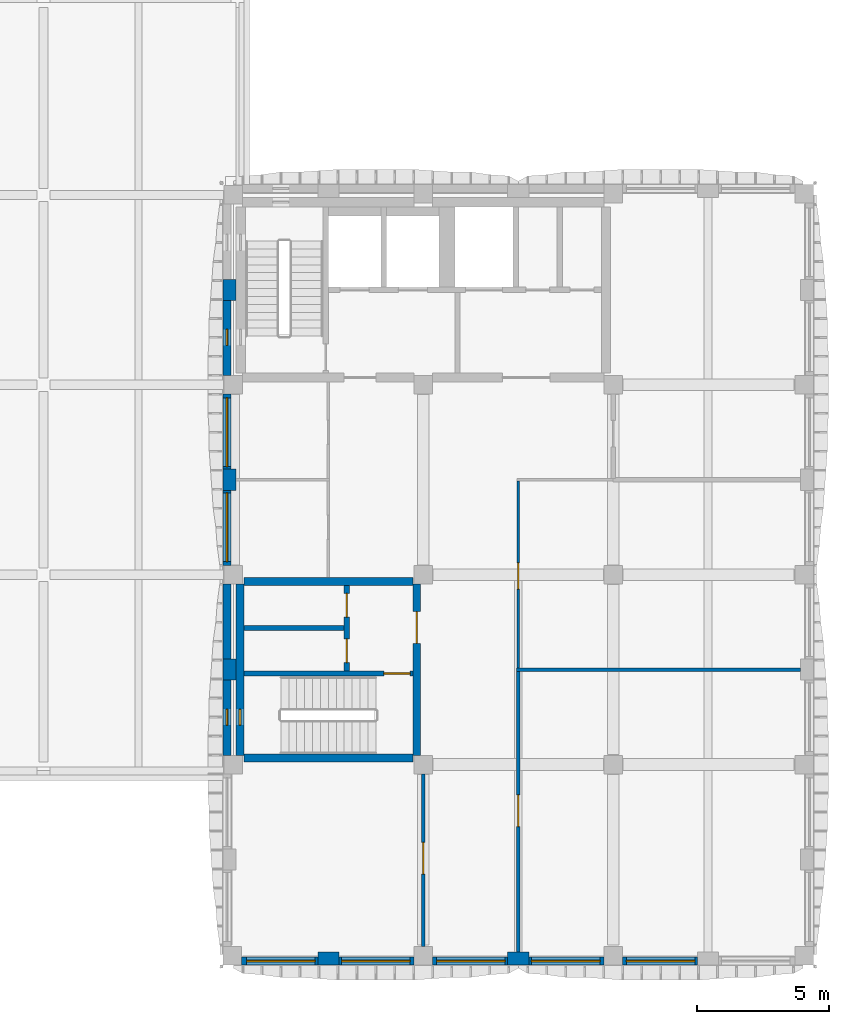
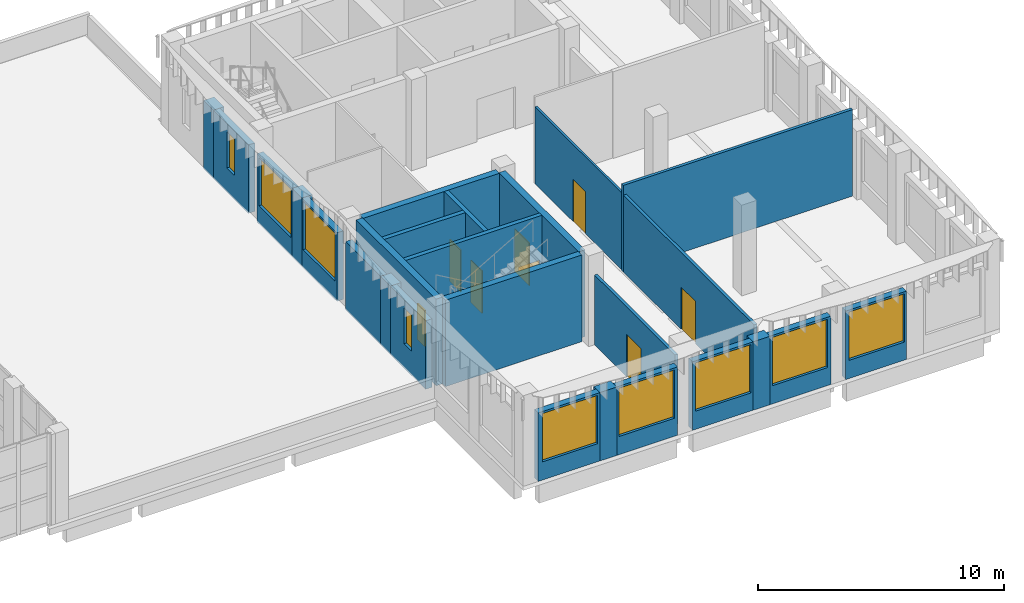
# One storey, part 14 of 44: 26 walls, 10 windows, 7 doors, 17 openings.
"""IFC4 building model written with IfcOpenShell, lengths in metres."""

from ifc_helpers import new_model, si_unit, direction, frame, frame_2d, origin, place, context, subcontext, project, spatial, rectangle, extrude, material, layer, layer_set, type_object, element, fill, save


model = new_model("IFC4")

# Units and contexts
model_context = context("Model", 3, precision=1e-05, world=origin(), true_north=direction((0.0, 1.0)))
body_context = subcontext(model_context, "Body", "Model", "MODEL_VIEW")
ifc_project = project(units=[si_unit("LENGTHUNIT", "METRE"), si_unit("AREAUNIT", "SQUARE_METRE"), si_unit("VOLUMEUNIT", "CUBIC_METRE"), si_unit("PLANEANGLEUNIT", "RADIAN"), si_unit("MASSUNIT", "GRAM", prefix="KILO")], contexts=[model_context])

# Site, building, storey
site_placement = place(None, origin())
site = spatial("IfcSite", under=ifc_project, at=site_placement, CompositionType="ELEMENT")
building_placement = place(site_placement, origin())
building = spatial("IfcBuilding", under=site, at=building_placement, Name="Ussher Court Research Institute", CompositionType="ELEMENT")
storey_placement = place(building_placement, frame((0.0, 0.0, 18.89990234375)))
storey = spatial("IfcBuildingStorey", under=building, at=storey_placement, Name="L04", CompositionType="ELEMENT", Elevation=18.89990234375)

# Wall, opening, window
ifc_material_1 = material(Name="Blockwork with cream render", Category="masonry")
ifc_layer_1 = layer(ifc_material_1, 0.300048828125)
ifc_layer_set_1 = layer_set([ifc_layer_1], Name="Blockwork with cream render")
wall_type_1 = type_object("IfcWallType", Name="External wall 300 cream render", PredefinedType="SOLIDWALL", material=ifc_layer_set_1)
wall_1_placement = place(storey_placement, frame((99.800048828125, 3.75, 0.0), z_axis=(0.0, 0.0, 1.0), x_axis=(-1.0, 0.0, 0.0)))
wall_1 = element("IfcWall", 1, at=wall_1_placement, inside=storey, type_object=wall_type_1, Name="External wall EW1 L04", PredefinedType="SOLIDWALL", context=body_context, shape_type="SweptSolid", body=[
    extrude(rectangle(XDim=2.85009765625, YDim=0.300048828125, at=frame_2d((1.425048828125, 0.0))), origin(), (0.0, 0.0, 1.0), 3.400146484375),
])
opening_1_placement = place(wall_1_placement, frame((0.10009765625, 0.0, 0.89990234375)))
opening_1 = element("IfcOpeningElement", 2, at=opening_1_placement, cuts=wall_1, Name="Opening W01", PredefinedType="OPENING", context=body_context, shape_type="SweptSolid", body=[
    extrude(rectangle(XDim=2.60009765625, YDim=2.39990234375, at=frame_2d((1.300048828125, 1.199951171875))), frame((0.0, 0.16015625, 0.0), z_axis=(0.0, -1.0, 0.0), x_axis=(1.0, 0.0, 0.0)), (0.0, 0.0, 1.0), 0.320068359375),
])
ifc_material_2 = material(Name="Bronze anodised aluminium with double glazing", Category="aluminium")
window_type_1 = type_object("IfcWindowType", Name="Laboratory bay window 2600x2400", PartitioningType="DOUBLE_PANEL_VERTICAL", PredefinedType="WINDOW", material=ifc_material_2)
window_1_placement = place(opening_1_placement, origin())
window_1 = element("IfcWindow", 3, at=window_1_placement, inside=storey, type_object=window_type_1, Name="Window W01 L04", OverallHeight=2.39990234375, OverallWidth=2.60009765625, PartitioningType="SINGLE_PANEL", PredefinedType="WINDOW", context=body_context, shape_type="SweptSolid", body=[
    extrude(rectangle(XDim=2.60009765625, YDim=2.39990234375, at=frame_2d((1.300048828125, 1.199951171875))), frame((0.0, 0.030029296875, 0.0), z_axis=(0.0, -1.0, 0.0), x_axis=(1.0, 0.0, 0.0)), (0.0, 0.0, 1.0), 0.06005859375),
])
fill(opening_1, window_1)

wall_2_placement = place(storey_placement, frame((96.25, 3.75, 0.0), z_axis=(0.0, 0.0, 1.0), x_axis=(-1.0, 0.0, 0.0)))
wall_2 = element("IfcWall", 4, at=wall_2_placement, inside=storey, type_object=wall_type_1, Name="External wall EW1 L04", PredefinedType="SOLIDWALL", context=body_context, shape_type="SweptSolid", body=[
    extrude(rectangle(XDim=2.85009765625, YDim=0.300048828125, at=frame_2d((1.425048828125, 0.0))), origin(), (0.0, 0.0, 1.0), 3.400146484375),
])
opening_2_placement = place(wall_2_placement, frame((0.14990234375, 0.0, 0.89990234375)))
opening_2 = element("IfcOpeningElement", 5, at=opening_2_placement, cuts=wall_2, Name="Opening W01", PredefinedType="OPENING", context=body_context, shape_type="SweptSolid", body=[
    extrude(rectangle(XDim=2.60009765625, YDim=2.39990234375, at=frame_2d((1.300048828125, 1.199951171875))), frame((0.0, 0.16015625, 0.0), z_axis=(0.0, -1.0, 0.0), x_axis=(1.0, 0.0, 0.0)), (0.0, 0.0, 1.0), 0.320068359375),
])
window_2_placement = place(opening_2_placement, origin())
window_2 = element("IfcWindow", 6, at=window_2_placement, inside=storey, type_object=window_type_1, Name="Window W01 L04", OverallHeight=2.39990234375, OverallWidth=2.60009765625, PartitioningType="SINGLE_PANEL", PredefinedType="WINDOW", context=body_context, shape_type="SweptSolid", body=[
    extrude(rectangle(XDim=2.60009765625, YDim=2.39990234375, at=frame_2d((1.300048828125, 1.199951171875))), frame((0.0, 0.030029296875, 0.0), z_axis=(0.0, -1.0, 0.0), x_axis=(1.0, 0.0, 0.0)), (0.0, 0.0, 1.0), 0.06005859375),
])
fill(opening_2, window_2)

wall_3_placement = place(storey_placement, frame((92.60009765625, 3.75, 0.0), z_axis=(0.0, 0.0, 1.0), x_axis=(-1.0, 0.0, 0.0)))
wall_3 = element("IfcWall", 7, at=wall_3_placement, inside=storey, type_object=wall_type_1, Name="External wall EW1 L04", PredefinedType="SOLIDWALL", context=body_context, shape_type="SweptSolid", body=[
    extrude(rectangle(XDim=2.85009765625, YDim=0.300048828125, at=frame_2d((1.425048828125, 0.0))), origin(), (0.0, 0.0, 1.0), 3.400146484375),
])
opening_3_placement = place(wall_3_placement, frame((0.10009765625, 0.0, 0.89990234375)))
opening_3 = element("IfcOpeningElement", 8, at=opening_3_placement, cuts=wall_3, Name="Opening W01", PredefinedType="OPENING", context=body_context, shape_type="SweptSolid", body=[
    extrude(rectangle(XDim=2.60009765625, YDim=2.39990234375, at=frame_2d((1.300048828125, 1.199951171875))), frame((0.0, 0.16015625, 0.0), z_axis=(0.0, -1.0, 0.0), x_axis=(1.0, 0.0, 0.0)), (0.0, 0.0, 1.0), 0.320068359375),
])
window_3_placement = place(opening_3_placement, origin())
window_3 = element("IfcWindow", 9, at=window_3_placement, inside=storey, type_object=window_type_1, Name="Window W01 L04", OverallHeight=2.39990234375, OverallWidth=2.60009765625, PartitioningType="SINGLE_PANEL", PredefinedType="WINDOW", context=body_context, shape_type="SweptSolid", body=[
    extrude(rectangle(XDim=2.60009765625, YDim=2.39990234375, at=frame_2d((1.300048828125, 1.199951171875))), frame((0.0, 0.030029296875, 0.0), z_axis=(0.0, -1.0, 0.0), x_axis=(1.0, 0.0, 0.0)), (0.0, 0.0, 1.0), 0.06005859375),
])
fill(opening_3, window_3)

wall_4_placement = place(storey_placement, frame((89.050048828125, 3.75, 0.0), z_axis=(0.0, 0.0, 1.0), x_axis=(-1.0, 0.0, 0.0)))
wall_4 = element("IfcWall", 10, at=wall_4_placement, inside=storey, type_object=wall_type_1, Name="External wall EW1 L04", PredefinedType="SOLIDWALL", context=body_context, shape_type="SweptSolid", body=[
    extrude(rectangle(XDim=2.85009765625, YDim=0.300048828125, at=frame_2d((1.425048828125, 0.0))), origin(), (0.0, 0.0, 1.0), 3.400146484375),
])
opening_4_placement = place(wall_4_placement, frame((0.14990234375, 0.0, 0.89990234375)))
opening_4 = element("IfcOpeningElement", 11, at=opening_4_placement, cuts=wall_4, Name="Opening W01", PredefinedType="OPENING", context=body_context, shape_type="SweptSolid", body=[
    extrude(rectangle(XDim=2.60009765625, YDim=2.39990234375, at=frame_2d((1.300048828125, 1.199951171875))), frame((0.0, 0.16015625, 0.0), z_axis=(0.0, -1.0, 0.0), x_axis=(1.0, 0.0, 0.0)), (0.0, 0.0, 1.0), 0.320068359375),
])
window_4_placement = place(opening_4_placement, origin())
window_4 = element("IfcWindow", 12, at=window_4_placement, inside=storey, type_object=window_type_1, Name="Window W01 L04", OverallHeight=2.39990234375, OverallWidth=2.60009765625, PartitioningType="SINGLE_PANEL", PredefinedType="WINDOW", context=body_context, shape_type="SweptSolid", body=[
    extrude(rectangle(XDim=2.60009765625, YDim=2.39990234375, at=frame_2d((1.300048828125, 1.199951171875))), frame((0.0, 0.030029296875, 0.0), z_axis=(0.0, -1.0, 0.0), x_axis=(1.0, 0.0, 0.0)), (0.0, 0.0, 1.0), 0.06005859375),
])
fill(opening_4, window_4)

wall_5_placement = place(storey_placement, frame((85.39990234375, 3.75, 0.0), z_axis=(0.0, 0.0, 1.0), x_axis=(-1.0, 0.0, 0.0)))
wall_5 = element("IfcWall", 13, at=wall_5_placement, inside=storey, type_object=wall_type_1, Name="External wall EW1 L04", PredefinedType="SOLIDWALL", context=body_context, shape_type="SweptSolid", body=[
    extrude(rectangle(XDim=2.89990234375, YDim=0.300048828125, at=frame_2d((1.449951171875, 0.0))), origin(), (0.0, 0.0, 1.0), 3.400146484375),
])
opening_5_placement = place(wall_5_placement, frame((0.10009765625, 0.0, 0.89990234375)))
opening_5 = element("IfcOpeningElement", 14, at=opening_5_placement, cuts=wall_5, Name="Opening W01", PredefinedType="OPENING", context=body_context, shape_type="SweptSolid", body=[
    extrude(rectangle(XDim=2.60009765625, YDim=2.39990234375, at=frame_2d((1.300048828125, 1.199951171875))), frame((0.0, 0.16015625, 0.0), z_axis=(0.0, -1.0, 0.0), x_axis=(1.0, 0.0, 0.0)), (0.0, 0.0, 1.0), 0.320068359375),
])
window_5_placement = place(opening_5_placement, origin())
window_5 = element("IfcWindow", 15, at=window_5_placement, inside=storey, type_object=window_type_1, Name="Window W01 L04", OverallHeight=2.39990234375, OverallWidth=2.60009765625, PartitioningType="SINGLE_PANEL", PredefinedType="WINDOW", context=body_context, shape_type="SweptSolid", body=[
    extrude(rectangle(XDim=2.60009765625, YDim=2.39990234375, at=frame_2d((1.300048828125, 1.199951171875))), frame((0.0, 0.030029296875, 0.0), z_axis=(0.0, -1.0, 0.0), x_axis=(1.0, 0.0, 0.0)), (0.0, 0.0, 1.0), 0.06005859375),
])
fill(opening_5, window_5)

wall_6_placement = place(storey_placement, frame((81.949951171875, 18.75, 0.0), z_axis=(0.0, 0.0, 1.0), x_axis=(0.0, 1.0, 0.0)))
wall_6 = element("IfcWall", 16, at=wall_6_placement, inside=storey, type_object=wall_type_1, Name="External wall EW1 L04", PredefinedType="SOLIDWALL", context=body_context, shape_type="SweptSolid", body=[
    extrude(rectangle(XDim=2.85009765625, YDim=0.300048828125, at=frame_2d((1.425048828125, 0.0))), origin(), (0.0, 0.0, 1.0), 3.400146484375),
])
opening_6_placement = place(wall_6_placement, frame((0.14990234375, 0.0, 0.89990234375)))
opening_6 = element("IfcOpeningElement", 17, at=opening_6_placement, cuts=wall_6, Name="Opening W01", PredefinedType="OPENING", context=body_context, shape_type="SweptSolid", body=[
    extrude(rectangle(XDim=2.60009765625, YDim=2.39990234375, at=frame_2d((1.300048828125, 1.199951171875))), frame((0.0, 0.16015625, 0.0), z_axis=(0.0, -1.0, 0.0), x_axis=(1.0, 0.0, 0.0)), (0.0, 0.0, 1.0), 0.320068359375),
])
window_6_placement = place(opening_6_placement, origin())
window_6 = element("IfcWindow", 18, at=window_6_placement, inside=storey, type_object=window_type_1, Name="Window W01 L04", OverallHeight=2.39990234375, OverallWidth=2.60009765625, PartitioningType="SINGLE_PANEL", PredefinedType="WINDOW", context=body_context, shape_type="SweptSolid", body=[
    extrude(rectangle(XDim=2.60009765625, YDim=2.39990234375, at=frame_2d((1.300048828125, 1.199951171875))), frame((0.0, 0.030029296875, 0.0), z_axis=(0.0, -1.0, 0.0), x_axis=(1.0, 0.0, 0.0)), (0.0, 0.0, 1.0), 0.06005859375),
])
fill(opening_6, window_6)

wall_7_placement = place(storey_placement, frame((81.949951171875, 22.39990234375, 0.0), z_axis=(0.0, 0.0, 1.0), x_axis=(0.0, 1.0, 0.0)))
wall_7 = element("IfcWall", 19, at=wall_7_placement, inside=storey, type_object=wall_type_1, Name="External wall EW1 L04", PredefinedType="SOLIDWALL", context=body_context, shape_type="SweptSolid", body=[
    extrude(rectangle(XDim=2.85009765625, YDim=0.300048828125, at=frame_2d((1.425048828125, 0.0))), origin(), (0.0, 0.0, 1.0), 3.400146484375),
])
opening_7_placement = place(wall_7_placement, frame((0.10009765625, 0.0, 0.89990234375)))
opening_7 = element("IfcOpeningElement", 20, at=opening_7_placement, cuts=wall_7, Name="Opening W01", PredefinedType="OPENING", context=body_context, shape_type="SweptSolid", body=[
    extrude(rectangle(XDim=2.60009765625, YDim=2.39990234375, at=frame_2d((1.300048828125, 1.199951171875))), frame((0.0, 0.16015625, 0.0), z_axis=(0.0, -1.0, 0.0), x_axis=(1.0, 0.0, 0.0)), (0.0, 0.0, 1.0), 0.320068359375),
])
window_7_placement = place(opening_7_placement, origin())
window_7 = element("IfcWindow", 21, at=window_7_placement, inside=storey, type_object=window_type_1, Name="Window W01 L04", OverallHeight=2.39990234375, OverallWidth=2.60009765625, PartitioningType="SINGLE_PANEL", PredefinedType="WINDOW", context=body_context, shape_type="SweptSolid", body=[
    extrude(rectangle(XDim=2.60009765625, YDim=2.39990234375, at=frame_2d((1.300048828125, 1.199951171875))), frame((0.0, 0.030029296875, 0.0), z_axis=(0.0, -1.0, 0.0), x_axis=(1.0, 0.0, 0.0)), (0.0, 0.0, 1.0), 0.06005859375),
])
fill(opening_7, window_7)

ifc_material_3 = material(Name="Limestone facing on blockwork", Category="masonry")
ifc_layer_2 = layer(ifc_material_3, 0.300048828125)
ifc_layer_set_2 = layer_set([ifc_layer_2], Name="Limestone facing on blockwork")
wall_type_2 = type_object("IfcWallType", Name="External wall 300 stair enclosure", PredefinedType="SOLIDWALL", material=ifc_layer_set_2)
wall_8_placement = place(storey_placement, frame((81.949951171875, 11.550048828125, 0.0), z_axis=(0.0, 0.0, 1.0), x_axis=(0.0, 1.0, 0.0)))
wall_8 = element("IfcWall", 22, at=wall_8_placement, inside=storey, type_object=wall_type_2, Name="External wall EW5 L04", PredefinedType="SOLIDWALL", context=body_context, shape_type="SweptSolid", body=[
    extrude(rectangle(XDim=2.849853515625, YDim=0.300048828125, at=frame_2d((1.4248046875, 0.0))), origin(), (0.0, 0.0, 1.0), 3.400146484375),
])
opening_8_placement = place(wall_8_placement, frame((1.14990234375, 0.0, 1.199951171875)))
opening_8 = element("IfcOpeningElement", 23, at=opening_8_placement, cuts=wall_8, Name="Opening W25", PredefinedType="OPENING", context=body_context, shape_type="SweptSolid", body=[
    extrude(rectangle(XDim=0.60009765625, YDim=1.800048828125, at=frame_2d((0.300048828125, 0.89990234375))), frame((0.0, 0.16015625, 0.0), z_axis=(0.0, -1.0, 0.0), x_axis=(1.0, 0.0, 0.0)), (0.0, 0.0, 1.0), 0.320068359375),
])
ifc_material_4 = material(Name="Bronze anodised aluminium with double glazing", Category="aluminium")
window_type_2 = type_object("IfcWindowType", Name="Stair light slot window 600x1800 fire-resisting glazing", PartitioningType="SINGLE_PANEL", PredefinedType="WINDOW", material=ifc_material_4)
window_8_placement = place(opening_8_placement, origin())
window_8 = element("IfcWindow", 24, at=window_8_placement, inside=storey, type_object=window_type_2, Name="Window W25 L04", OverallHeight=1.800048828125, OverallWidth=0.60009765625, PartitioningType="SINGLE_PANEL", PredefinedType="WINDOW", context=body_context, shape_type="SweptSolid", body=[
    extrude(rectangle(XDim=0.60009765625, YDim=1.800048828125, at=frame_2d((0.300048828125, 0.89990234375))), frame((0.0, 0.030029296875, 0.0), z_axis=(0.0, -1.0, 0.0), x_axis=(1.0, 0.0, 0.0)), (0.0, 0.0, 1.0), 0.06005859375),
])
fill(opening_8, window_8)

# Wall
wall_9_placement = place(storey_placement, frame((81.949951171875, 15.199951171875, 0.0), z_axis=(0.0, 0.0, 1.0), x_axis=(0.0, 1.0, 0.0)))
element("IfcWall", 25, at=wall_9_placement, inside=storey, type_object=wall_type_2, Name="External wall EW5 L04", PredefinedType="SOLIDWALL", context=body_context, shape_type="SweptSolid", body=[
    extrude(rectangle(XDim=2.85009765625, YDim=0.300048828125, at=frame_2d((1.425048828125, 0.0))), origin(), (0.0, 0.0, 1.0), 3.400146484375),
])

# Wall, opening, window
wall_10_placement = place(storey_placement, frame((81.949951171875, 25.949951171875, 0.0), z_axis=(0.0, 0.0, 1.0), x_axis=(0.0, 1.0, 0.0)))
wall_10 = element("IfcWall", 26, at=wall_10_placement, inside=storey, type_object=wall_type_2, Name="External wall EW5 L04", PredefinedType="SOLIDWALL", context=body_context, shape_type="SweptSolid", body=[
    extrude(rectangle(XDim=2.85009765625, YDim=0.300048828125, at=frame_2d((1.425048828125, 0.0))), origin(), (0.0, 0.0, 1.0), 3.400146484375),
])
opening_9_placement = place(wall_10_placement, frame((1.14990234375, 0.0, 1.199951171875)))
opening_9 = element("IfcOpeningElement", 27, at=opening_9_placement, cuts=wall_10, Name="Opening W25", PredefinedType="OPENING", context=body_context, shape_type="SweptSolid", body=[
    extrude(rectangle(XDim=0.60009765625, YDim=1.800048828125, at=frame_2d((0.300048828125, 0.89990234375))), frame((0.0, 0.16015625, 0.0), z_axis=(0.0, -1.0, 0.0), x_axis=(1.0, 0.0, 0.0)), (0.0, 0.0, 1.0), 0.320068359375),
])
window_9_placement = place(opening_9_placement, origin())
window_9 = element("IfcWindow", 28, at=window_9_placement, inside=storey, type_object=window_type_2, Name="Window W25 L04", OverallHeight=1.800048828125, OverallWidth=0.60009765625, PartitioningType="SINGLE_PANEL", PredefinedType="WINDOW", context=body_context, shape_type="SweptSolid", body=[
    extrude(rectangle(XDim=0.60009765625, YDim=1.800048828125, at=frame_2d((0.300048828125, 0.89990234375))), frame((0.0, 0.030029296875, 0.0), z_axis=(0.0, -1.0, 0.0), x_axis=(1.0, 0.0, 0.0)), (0.0, 0.0, 1.0), 0.06005859375),
])
fill(opening_9, window_9)

# Wall
ifc_material_5 = material(Name="Plastered blockwork", Category="masonry")
ifc_layer_3 = layer(ifc_material_5, 0.139892578125)
ifc_layer_set_3 = layer_set([ifc_layer_3], Name="Plastered blockwork")
wall_type_3 = type_object("IfcWallType", Name="Laboratory blockwork partition 140", PredefinedType="PARTITIONING", material=ifc_layer_set_3)
wall_11_placement = place(storey_placement, frame((92.929931640625, 14.800048828125, 0.0), z_axis=(0.0, 0.0, 1.0), x_axis=(1.0, 0.0, 0.0)))
element("IfcWall", 29, at=wall_11_placement, inside=storey, type_object=wall_type_3, Name="Partition", PredefinedType="PARTITIONING", context=body_context, shape_type="SweptSolid", body=[
    extrude(rectangle(XDim=10.77001953125, YDim=0.139892578125, at=frame_2d((5.385009765625, 0.0))), origin(), (0.0, 0.0, 1.0), 4.300048828125),
])

# Wall, opening, door
wall_12_placement = place(storey_placement, frame((89.39990234375, 4.300048828125, 0.0), z_axis=(0.0, 0.0, 1.0), x_axis=(0.0, 1.0, 0.0)))
wall_12 = element("IfcWall", 30, at=wall_12_placement, inside=storey, type_object=wall_type_3, Name="Partition", PredefinedType="PARTITIONING", context=body_context, shape_type="SweptSolid", body=[
    extrude(rectangle(XDim=6.550048828125, YDim=0.139892578125, at=frame_2d((3.27490234375, 0.0))), origin(), (0.0, 0.0, 1.0), 3.47021484375),
])
opening_10_placement = place(wall_12_placement, frame((2.75, 0.0, 0.0)))
opening_10 = element("IfcOpeningElement", 31, at=opening_10_placement, cuts=wall_12, Name="Opening D04034", PredefinedType="OPENING", context=body_context, shape_type="SweptSolid", body=[
    extrude(rectangle(XDim=1.199951171875, YDim=2.10009765625, at=frame_2d((0.60009765625, 1.050048828125))), frame((0.0, 0.080078125, 0.0), z_axis=(0.0, -1.0, 0.0), x_axis=(1.0, 0.0, 0.0)), (0.0, 0.0, 1.0), 0.159912109375),
])
ifc_material_6 = material(Name="Veneered timber door", Category="wood")
door_type_1 = type_object("IfcDoorType", Name="Laboratory door 1200x2100", OperationType="NOTDEFINED", PredefinedType="DOOR", material=ifc_material_6)
door_1_placement = place(opening_10_placement, origin())
door_1 = element("IfcDoor", 32, at=door_1_placement, inside=storey, type_object=door_type_1, Name="Door D04034", OperationType="SINGLE_SWING_RIGHT", OverallHeight=2.10009765625, OverallWidth=1.199951171875, PredefinedType="DOOR", context=body_context, shape_type="SweptSolid", body=[
    extrude(rectangle(XDim=1.199951171875, YDim=2.10009765625, at=frame_2d((0.60009765625, 1.050048828125))), frame((0.0, 0.02490234375, 0.0), z_axis=(0.0, -1.0, 0.0), x_axis=(1.0, 0.0, 0.0)), (0.0, 0.0, 1.0), 0.050048828125),
])
fill(opening_10, door_1)

wall_13_placement = place(storey_placement, frame((93.0, 14.72998046875, 0.0), z_axis=(0.0, 0.0, 1.0), x_axis=(0.0, -1.0, 0.0)))
wall_13 = element("IfcWall", 33, at=wall_13_placement, inside=storey, type_object=wall_type_3, Name="Partition", PredefinedType="PARTITIONING", context=body_context, shape_type="SweptSolid", body=[
    extrude(rectangle(XDim=10.6298828125, YDim=0.139892578125, at=frame_2d((5.31494140625, 0.0))), origin(), (0.0, 0.0, 1.0), 3.820068359375),
])
opening_11_placement = place(wall_13_placement, frame((4.679931640625, 0.0, 0.0)))
opening_11 = element("IfcOpeningElement", 34, at=opening_11_placement, cuts=wall_13, Name="Opening D04035", PredefinedType="OPENING", context=body_context, shape_type="SweptSolid", body=[
    extrude(rectangle(XDim=1.199951171875, YDim=2.10009765625, at=frame_2d((0.60009765625, 1.050048828125))), frame((0.0, 0.080078125, 0.0), z_axis=(0.0, -1.0, 0.0), x_axis=(1.0, 0.0, 0.0)), (0.0, 0.0, 1.0), 0.159912109375),
])
door_2_placement = place(opening_11_placement, origin())
door_2 = element("IfcDoor", 35, at=door_2_placement, inside=storey, type_object=door_type_1, Name="Door D04035", OperationType="SINGLE_SWING_LEFT", OverallHeight=2.10009765625, OverallWidth=1.199951171875, PredefinedType="DOOR", context=body_context, shape_type="SweptSolid", body=[
    extrude(rectangle(XDim=1.199951171875, YDim=2.10009765625, at=frame_2d((0.60009765625, 1.050048828125))), frame((0.0, 0.02490234375, 0.0), z_axis=(0.0, -1.0, 0.0), x_axis=(1.0, 0.0, 0.0)), (0.0, 0.0, 1.0), 0.050048828125),
])
fill(opening_11, door_2)

ifc_material_7 = material(Name="Plastered blockwork", Category="masonry")
ifc_layer_4 = layer(ifc_material_7, 0.10009765625)
ifc_layer_set_4 = layer_set([ifc_layer_4], Name="Plastered blockwork")
wall_type_4 = type_object("IfcWallType", Name="Partition plastered blockwork 100", PredefinedType="PARTITIONING", material=ifc_layer_set_4)
wall_14_placement = place(storey_placement, frame((93.0, 21.949951171875, 0.0), z_axis=(0.0, 0.0, 1.0), x_axis=(0.0, -1.0, 0.0)))
wall_14 = element("IfcWall", 36, at=wall_14_placement, inside=storey, type_object=wall_type_4, Name="Partition", PredefinedType="PARTITIONING", context=body_context, shape_type="SweptSolid", body=[
    extrude(rectangle(XDim=7.079833984375, YDim=0.10009765625, at=frame_2d((3.5400390625, 0.0))), origin(), (0.0, 0.0, 1.0), 3.820068359375),
])
opening_12_placement = place(wall_14_placement, frame((3.10009765625, 0.0, 0.0)))
opening_12 = element("IfcOpeningElement", 37, at=opening_12_placement, cuts=wall_14, Name="Opening D04036", PredefinedType="OPENING", context=body_context, shape_type="SweptSolid", body=[
    extrude(rectangle(XDim=1.0, YDim=2.10009765625, at=frame_2d((0.5, 1.050048828125))), frame((0.0, 0.06005859375, 0.0), z_axis=(0.0, -1.0, 0.0), x_axis=(1.0, 0.0, 0.0)), (0.0, 0.0, 1.0), 0.1201171875),
])
ifc_material_8 = material(Name="Veneered timber door", Category="wood")
door_type_2 = type_object("IfcDoorType", Name="Office door 1000x2100", OperationType="NOTDEFINED", PredefinedType="DOOR", material=ifc_material_8)
door_3_placement = place(opening_12_placement, origin())
door_3 = element("IfcDoor", 38, at=door_3_placement, inside=storey, type_object=door_type_2, Name="Door D04036", OperationType="SINGLE_SWING_RIGHT", OverallHeight=2.10009765625, OverallWidth=1.0, PredefinedType="DOOR", context=body_context, shape_type="SweptSolid", body=[
    extrude(rectangle(XDim=1.0, YDim=2.10009765625, at=frame_2d((0.5, 1.050048828125))), frame((0.0, 0.02490234375, 0.0), z_axis=(0.0, -1.0, 0.0), x_axis=(1.0, 0.0, 0.0)), (0.0, 0.0, 1.0), 0.050048828125),
])
fill(opening_12, door_3)

# Walls
ifc_material_9 = material(Name="Blockwork with cream render", Category="masonry")
ifc_layer_5 = layer(ifc_material_9, 0.5)
ifc_layer_set_5 = layer_set([ifc_layer_5], Name="Blockwork with cream render")
wall_type_5 = type_object("IfcWallType", Name="Pier 800x500 cream render", PredefinedType="SOLIDWALL", material=ifc_layer_set_5)
wall_15_placement = place(storey_placement, frame((93.39990234375, 3.85009765625, 0.0), z_axis=(0.0, 0.0, 1.0), x_axis=(-1.0, 0.0, 0.0)))
element("IfcWall", 39, at=wall_15_placement, inside=storey, type_object=wall_type_5, Name="Pier PR1 L04", PredefinedType="SOLIDWALL", context=body_context, shape_type="SweptSolid", body=[
    extrude(rectangle(XDim=0.7998046875, YDim=0.5, at=frame_2d((0.39990234375, 0.0))), origin(), (0.0, 0.0, 1.0), 3.400146484375),
])
for number, where, z_axis, x_axis, name in (
    (40, (86.199951171875, 3.85009765625, 0.0), (0.0, 0.0, 1.0), (-1.0, 0.0, 0.0), "Pier PR1 L04"),
    (41, (82.050048828125, 14.39990234375, 0.0), (0.0, 0.0, 1.0), (0.0, 1.0, 0.0), "Pier PR1 L04"),
):
    element("IfcWall", number, at=place(storey_placement, frame(where, z_axis=z_axis, x_axis=x_axis)), inside=storey, type_object=wall_type_5, Name=name, PredefinedType="SOLIDWALL", context=body_context, shape_type="SweptSolid", body=[
        extrude(rectangle(XDim=0.800048828125, YDim=0.5, at=frame_2d((0.39990234375, 0.0))), origin(), (0.0, 0.0, 1.0), 3.400146484375),
    ])
wall_16_placement = place(storey_placement, frame((82.050048828125, 21.60009765625, 0.0), z_axis=(0.0, 0.0, 1.0), x_axis=(0.0, 1.0, 0.0)))
element("IfcWall", 42, at=wall_16_placement, inside=storey, type_object=wall_type_5, Name="Pier PR1 L04", PredefinedType="SOLIDWALL", context=body_context, shape_type="SweptSolid", body=[
    extrude(rectangle(XDim=0.7998046875, YDim=0.5, at=frame_2d((0.39990234375, 0.0))), origin(), (0.0, 0.0, 1.0), 3.400146484375),
])
wall_17_placement = place(storey_placement, frame((82.050048828125, 28.800048828125, 0.0), z_axis=(0.0, 0.0, 1.0), x_axis=(0.0, 1.0, 0.0)))
element("IfcWall", 43, at=wall_17_placement, inside=storey, type_object=wall_type_5, Name="Pier PR1 L04", PredefinedType="SOLIDWALL", context=body_context, shape_type="SweptSolid", body=[
    extrude(rectangle(XDim=0.800048828125, YDim=0.5, at=frame_2d((0.39990234375, 0.0))), origin(), (0.0, 0.0, 1.0), 3.400146484375),
])

# Wall, opening, door
ifc_material_10 = material(Name="Concrete C35/45", Category="concrete")
ifc_layer_6 = layer(ifc_material_10, 0.199951171875)
ifc_layer_set_6 = layer_set([ifc_layer_6], Name="Concrete C35/45")
wall_type_6 = type_object("IfcWallType", Name="RC core wall 200", PredefinedType="SHEAR", material=ifc_layer_set_6)
wall_18_placement = place(storey_placement, frame((89.0, 14.64990234375, 0.0), z_axis=(0.0, 0.0, 1.0), x_axis=(-1.0, 0.0, 0.0)))
wall_18 = element("IfcWall", 44, at=wall_18_placement, inside=storey, type_object=wall_type_6, Name="Core wall T2", PredefinedType="SHEAR", context=body_context, shape_type="SweptSolid", body=[
    extrude(rectangle(XDim=6.39990234375, YDim=0.199951171875, at=frame_2d((3.199951171875, 0.0))), origin(), (0.0, 0.0, 1.0), 4.300048828125),
])
opening_13_placement = place(wall_18_placement, frame((0.10009765625, 0.0, 0.0)))
opening_13 = element("IfcOpeningElement", 45, at=opening_13_placement, cuts=wall_18, Name="Opening D04032", PredefinedType="OPENING", context=body_context, shape_type="SweptSolid", body=[
    extrude(rectangle(XDim=1.0, YDim=2.10009765625, at=frame_2d((0.5, 1.050048828125))), frame((0.0, 0.10986328125, 0.0), z_axis=(0.0, -1.0, 0.0), x_axis=(1.0, 0.0, 0.0)), (0.0, 0.0, 1.0), 0.219970703125),
])
ifc_material_11 = material(Name="Painted steel faced fire door", Category="steel")
door_type_3 = type_object("IfcDoorType", Name="Fire door 1000x2100 FD60", OperationType="NOTDEFINED", PredefinedType="DOOR", material=ifc_material_11)
door_4_placement = place(opening_13_placement, origin())
door_4 = element("IfcDoor", 46, at=door_4_placement, inside=storey, type_object=door_type_3, Name="Door D04032", OperationType="SINGLE_SWING_LEFT", OverallHeight=2.10009765625, OverallWidth=1.0, PredefinedType="DOOR", context=body_context, shape_type="SweptSolid", body=[
    extrude(rectangle(XDim=1.0, YDim=2.10009765625, at=frame_2d((0.5, 1.050048828125))), frame((0.0, 0.02490234375, 0.0), z_axis=(0.0, -1.0, 0.0), x_axis=(1.0, 0.0, 0.0)), (0.0, 0.0, 1.0), 0.050048828125),
])
fill(opening_13, door_4)

# Wall, openings, doors
wall_19_placement = place(storey_placement, frame((86.5, 18.0, 0.0), z_axis=(0.0, 0.0, 1.0), x_axis=(0.0, -1.0, 0.0)))
wall_19 = element("IfcWall", 47, at=wall_19_placement, inside=storey, type_object=wall_type_6, Name="Core wall T2", PredefinedType="SHEAR", context=body_context, shape_type="SweptSolid", body=[
    extrude(rectangle(XDim=3.25, YDim=0.199951171875, at=frame_2d((1.625, 0.0))), origin(), (0.0, 0.0, 1.0), 4.300048828125),
])
opening_14_placement = place(wall_19_placement, frame((2.03759765625, 0.0, 0.0)))
opening_14 = element("IfcOpeningElement", 48, at=opening_14_placement, cuts=wall_19, Name="Opening D04029", PredefinedType="OPENING", context=body_context, shape_type="SweptSolid", body=[
    extrude(rectangle(XDim=0.89990234375, YDim=2.10009765625, at=frame_2d((0.449951171875, 1.050048828125))), frame((0.0, 0.10986328125, 0.0), z_axis=(0.0, -1.0, 0.0), x_axis=(1.0, 0.0, 0.0)), (0.0, 0.0, 1.0), 0.219970703125),
])
opening_15_placement = place(wall_19_placement, frame((0.3125, 0.0, 0.0)))
opening_15 = element("IfcOpeningElement", 49, at=opening_15_placement, cuts=wall_19, Name="Opening D04030", PredefinedType="OPENING", context=body_context, shape_type="SweptSolid", body=[
    extrude(rectangle(XDim=0.89990234375, YDim=2.10009765625, at=frame_2d((0.449951171875, 1.050048828125))), frame((0.0, 0.10986328125, 0.0), z_axis=(0.0, -1.0, 0.0), x_axis=(1.0, 0.0, 0.0)), (0.0, 0.0, 1.0), 0.219970703125),
])
ifc_material_12 = material(Name="Painted steel faced fire door", Category="steel")
door_type_4 = type_object("IfcDoorType", Name="Fire door 900x2100 FD60", OperationType="NOTDEFINED", PredefinedType="DOOR", material=ifc_material_12)
door_5_placement = place(opening_14_placement, origin())
door_5 = element("IfcDoor", 50, at=door_5_placement, inside=storey, type_object=door_type_4, Name="Door D04029", OperationType="SINGLE_SWING_RIGHT", OverallHeight=2.10009765625, OverallWidth=0.89990234375, PredefinedType="DOOR", context=body_context, shape_type="SweptSolid", body=[
    extrude(rectangle(XDim=0.89990234375, YDim=2.10009765625, at=frame_2d((0.449951171875, 1.050048828125))), frame((0.0, 0.02490234375, 0.0), z_axis=(0.0, -1.0, 0.0), x_axis=(1.0, 0.0, 0.0)), (0.0, 0.0, 1.0), 0.050048828125),
])
fill(opening_14, door_5)
door_6_placement = place(opening_15_placement, origin())
door_6 = element("IfcDoor", 51, at=door_6_placement, inside=storey, type_object=door_type_4, Name="Door D04030", OperationType="SINGLE_SWING_LEFT", OverallHeight=2.10009765625, OverallWidth=0.89990234375, PredefinedType="DOOR", context=body_context, shape_type="SweptSolid", body=[
    extrude(rectangle(XDim=0.89990234375, YDim=2.10009765625, at=frame_2d((0.449951171875, 1.050048828125))), frame((0.0, 0.02490234375, 0.0), z_axis=(0.0, -1.0, 0.0), x_axis=(1.0, 0.0, 0.0)), (0.0, 0.0, 1.0), 0.050048828125),
])
fill(opening_15, door_6)

# Wall
wall_20_placement = place(storey_placement, frame((82.60009765625, 16.375, 0.0), z_axis=(0.0, 0.0, 1.0), x_axis=(1.0, 0.0, 0.0)))
element("IfcWall", 52, at=wall_20_placement, inside=storey, type_object=wall_type_6, Name="Core wall T2", PredefinedType="SHEAR", context=body_context, shape_type="SweptSolid", body=[
    extrude(rectangle(XDim=3.7998046875, YDim=0.199951171875, at=frame_2d((1.89990234375, 0.0))), origin(), (0.0, 0.0, 1.0), 4.300048828125),
])

# Wall, opening, door
ifc_material_13 = material(Name="Concrete C35/45", Category="concrete")
ifc_layer_7 = layer(ifc_material_13, 0.300048828125)
ifc_layer_set_7 = layer_set([ifc_layer_7], Name="Concrete C35/45")
wall_type_7 = type_object("IfcWallType", Name="RC core wall 300", PredefinedType="SHEAR", material=ifc_layer_set_7)
wall_21_placement = place(storey_placement, frame((89.14990234375, 11.550048828125, 0.0), z_axis=(0.0, 0.0, 1.0), x_axis=(0.0, 1.0, 0.0)))
wall_21 = element("IfcWall", 53, at=wall_21_placement, inside=storey, type_object=wall_type_7, Name="Core wall T2", PredefinedType="SHEAR", context=body_context, shape_type="SweptSolid", body=[
    extrude(rectangle(XDim=6.5, YDim=0.300048828125, at=frame_2d((3.25, 0.0))), origin(), (0.0, 0.0, 1.0), 4.300048828125),
])
opening_16_placement = place(wall_21_placement, frame((4.25, 0.0, 0.0)))
opening_16 = element("IfcOpeningElement", 54, at=opening_16_placement, cuts=wall_21, Name="Opening D04033", PredefinedType="OPENING", context=body_context, shape_type="SweptSolid", body=[
    extrude(rectangle(XDim=1.199951171875, YDim=2.10009765625, at=frame_2d((0.60009765625, 1.050048828125))), frame((0.0, 0.16015625, 0.0), z_axis=(0.0, -1.0, 0.0), x_axis=(1.0, 0.0, 0.0)), (0.0, 0.0, 1.0), 0.320068359375),
])
ifc_material_14 = material(Name="Painted steel faced fire door", Category="steel")
door_type_5 = type_object("IfcDoorType", Name="Fire door 1200x2100 FD60", OperationType="NOTDEFINED", PredefinedType="DOOR", material=ifc_material_14)
door_7_placement = place(opening_16_placement, origin())
door_7 = element("IfcDoor", 55, at=door_7_placement, inside=storey, type_object=door_type_5, Name="Door D04033", OperationType="SINGLE_SWING_RIGHT", OverallHeight=2.10009765625, OverallWidth=1.199951171875, PredefinedType="DOOR", context=body_context, shape_type="SweptSolid", body=[
    extrude(rectangle(XDim=1.199951171875, YDim=2.10009765625, at=frame_2d((0.60009765625, 1.050048828125))), frame((0.0, 0.02490234375, 0.0), z_axis=(0.0, -1.0, 0.0), x_axis=(1.0, 0.0, 0.0)), (0.0, 0.0, 1.0), 0.050048828125),
])
fill(opening_16, door_7)

# Wall, opening, window
wall_22_placement = place(storey_placement, frame((82.449951171875, 11.550048828125, 0.0), z_axis=(0.0, 0.0, 1.0), x_axis=(0.0, 1.0, 0.0)))
wall_22 = element("IfcWall", 56, at=wall_22_placement, inside=storey, type_object=wall_type_7, Name="Core wall T2", PredefinedType="SHEAR", context=body_context, shape_type="SweptSolid", body=[
    extrude(rectangle(XDim=6.5, YDim=0.300048828125, at=frame_2d((3.25, 0.0))), origin(), (0.0, 0.0, 1.0), 4.300048828125),
])
opening_17_placement = place(wall_22_placement, frame((1.14990234375, 0.0, 1.199951171875)))
opening_17 = element("IfcOpeningElement", 57, at=opening_17_placement, cuts=wall_22, Name="Opening W25", PredefinedType="OPENING", context=body_context, shape_type="SweptSolid", body=[
    extrude(rectangle(XDim=0.60009765625, YDim=1.800048828125, at=frame_2d((0.300048828125, 0.89990234375))), frame((0.0, 0.16015625, 0.0), z_axis=(0.0, -1.0, 0.0), x_axis=(1.0, 0.0, 0.0)), (0.0, 0.0, 1.0), 0.320068359375),
])
window_10_placement = place(opening_17_placement, origin())
window_10 = element("IfcWindow", 58, at=window_10_placement, inside=storey, type_object=window_type_2, Name="Window stair light T2 L04", OverallHeight=1.800048828125, OverallWidth=0.60009765625, PartitioningType="SINGLE_PANEL", PredefinedType="WINDOW", context=body_context, shape_type="SweptSolid", body=[
    extrude(rectangle(XDim=0.60009765625, YDim=1.800048828125, at=frame_2d((0.300048828125, 0.89990234375))), frame((0.0, 0.030029296875, 0.0), z_axis=(0.0, -1.0, 0.0), x_axis=(1.0, 0.0, 0.0)), (0.0, 0.0, 1.0), 0.06005859375),
])
fill(opening_17, window_10)

# Walls
for number, where, z_axis, x_axis, name in (
    (59, (82.60009765625, 11.449951171875, 0.0), (0.0, 0.0, 1.0), (1.0, 0.0, 0.0), "Core wall T2"),
    (60, (82.60009765625, 18.14990234375, 0.0), (0.0, 0.0, 1.0), (1.0, 0.0, 0.0), "Core wall T2"),
):
    element("IfcWall", number, at=place(storey_placement, frame(where, z_axis=z_axis, x_axis=x_axis)), inside=storey, type_object=wall_type_7, Name=name, PredefinedType="SHEAR", context=body_context, shape_type="SweptSolid", body=[
        extrude(rectangle(XDim=6.39990234375, YDim=0.300048828125, at=frame_2d((3.199951171875, 0.0))), origin(), (0.0, 0.0, 1.0), 4.300048828125),
    ])

save(model, "model.ifc")
